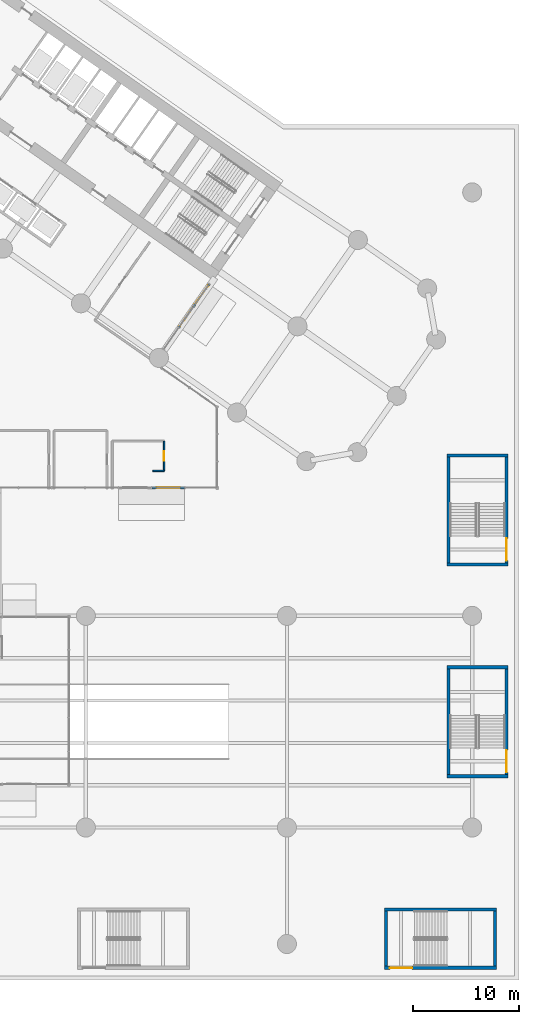
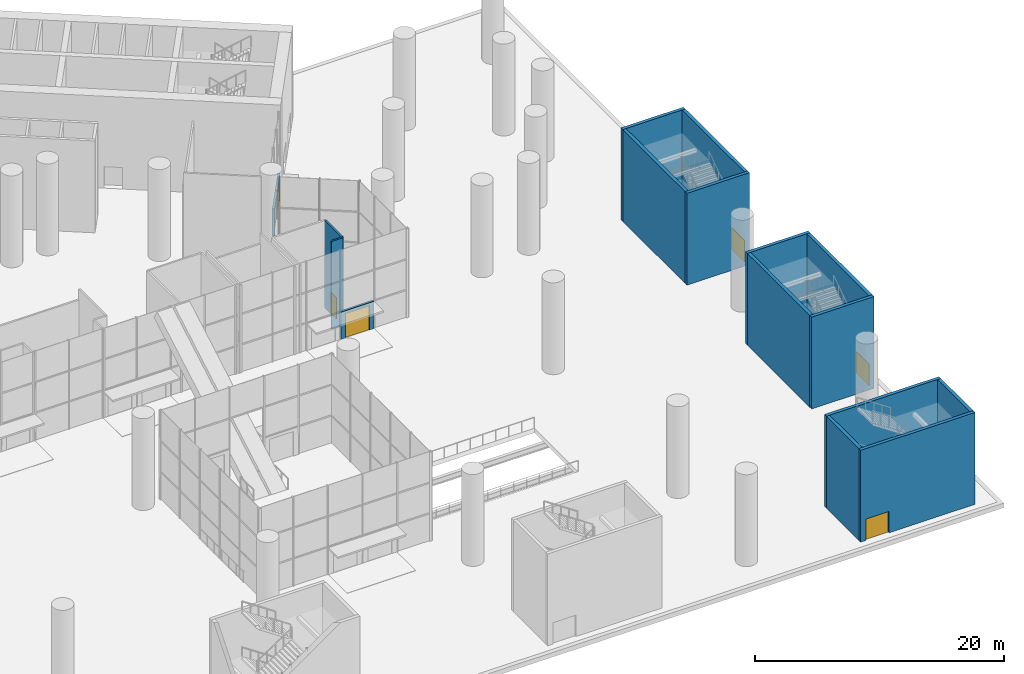
# One storey, part 18 of 37: 17 walls, 7 doors, 7 openings.
"""IFC4 building model written with IfcOpenShell, lengths in metres."""

from ifc_helpers import new_model, si_unit, direction, frame, frame_2d, origin, place, context, subcontext, project, spatial, rectangle, extrude, material, layer, layer_set, type_object, element, fill, save


model = new_model("IFC4")

# Units and contexts
model_context = context("Model", 3, precision=1e-05, world=origin(), true_north=direction((0.0, 1.0)))
body_context = subcontext(model_context, "Body", "Model", "MODEL_VIEW")
ifc_project = project(units=[si_unit("LENGTHUNIT", "METRE"), si_unit("AREAUNIT", "SQUARE_METRE"), si_unit("VOLUMEUNIT", "CUBIC_METRE"), si_unit("PLANEANGLEUNIT", "RADIAN"), si_unit("MASSUNIT", "GRAM", prefix="KILO")], contexts=[model_context])

# Site, building, storey
site_placement = place(None, origin())
site = spatial("IfcSite", under=ifc_project, at=site_placement, CompositionType="ELEMENT")
building_placement = place(site_placement, origin())
building = spatial("IfcBuilding", under=site, at=building_placement, Name="Tel Ilan Convention Tower", CompositionType="ELEMENT")
storey_placement = place(building_placement, origin())
storey = spatial("IfcBuildingStorey", under=building, at=storey_placement, Name="L00", CompositionType="ELEMENT", Elevation=0.0)

# Wall, opening, door
ifc_material_1 = material(Name="Aluminium composite cladding, bronze anodised on steel studs", Category="steel")
ifc_layer_1 = layer(ifc_material_1, 0.199951171875)
ifc_layer_set_1 = layer_set([ifc_layer_1], Name="ENTRANCE BAY WALL 200")
wall_type_1 = type_object("IfcWallType", Name="ENTRANCE BAY WALL 200", PredefinedType="SOLIDWALL", material=ifc_layer_set_1)
wall_1_placement = place(storey_placement, frame((18.8271484375, -35.89990234375, 0.0), z_axis=(0.0, 0.0, 1.0), x_axis=(-1.0, 0.0, 0.0)))
wall_1 = element("IfcWall", 1, at=wall_1_placement, inside=storey, type_object=wall_type_1, Name="Entrance bay wall", PredefinedType="SOLIDWALL", context=body_context, shape_type="SweptSolid", body=[
    extrude(rectangle(XDim=3.082763671875, YDim=0.199951171875, at=frame_2d((1.54150390625, 0.0))), origin(), (0.0, 0.0, 1.0), 2.699951171875),
])
opening_1_placement = place(wall_1_placement, frame((0.44140625, 0.0, 0.0)))
opening_1 = element("IfcOpeningElement", 2, at=opening_1_placement, cuts=wall_1, Name="Opening EN13", PredefinedType="OPENING", context=body_context, shape_type="SweptSolid", body=[
    extrude(rectangle(XDim=2.199951171875, YDim=2.39990234375, at=frame_2d((1.10009765625, 1.199951171875))), frame((0.0, 0.10986328125, 0.0), z_axis=(0.0, -1.0, 0.0), x_axis=(1.0, 0.0, 0.0)), (0.0, 0.0, 1.0), 0.219970703125),
])
ifc_material_2 = material(Name="Aluminium framed glazed door, bronze anodised", Category="aluminium")
door_type_1 = type_object("IfcDoorType", Name="ENTRANCE DOUBLE DOOR 2200x2400", OperationType="NOTDEFINED", PredefinedType="DOOR", material=ifc_material_2)
door_1_placement = place(opening_1_placement, origin())
door_1 = element("IfcDoor", 3, at=door_1_placement, inside=storey, type_object=door_type_1, Name="Entrance door", OperationType="DOUBLE_DOOR_DOUBLE_SWING", OverallHeight=2.39990234375, OverallWidth=2.199951171875, PredefinedType="DOOR", context=body_context, shape_type="SweptSolid", body=[
    extrude(rectangle(XDim=2.199951171875, YDim=2.39990234375, at=frame_2d((1.10009765625, 1.199951171875))), frame((0.0, 0.02490234375, 0.0), z_axis=(0.0, -1.0, 0.0), x_axis=(1.0, 0.0, 0.0)), (0.0, 0.0, 1.0), 0.050048828125),
])
fill(opening_1, door_1)

wall_2_placement = place(storey_placement, frame((21.15771484375, -16.6826171875, 0.0), z_axis=(0.0, 0.0, 1.0), x_axis=(-0.573616137927, -0.819124243512, 0.0)))
wall_2 = element("IfcWall", 4, at=wall_2_placement, inside=storey, type_object=wall_type_1, Name="Entrance bay wall", PredefinedType="SOLIDWALL", context=body_context, shape_type="SweptSolid", body=[
    extrude(rectangle(XDim=2.4501953125, YDim=0.199951171875, at=frame_2d((1.22509765625, 0.0))), origin(), (0.0, 0.0, 1.0), 2.699951171875),
])
opening_2_placement = place(wall_2_placement, frame((0.125244140625, 0.0, 0.0)))
opening_2 = element("IfcOpeningElement", 5, at=opening_2_placement, cuts=wall_2, Name="Opening EN21", PredefinedType="OPENING", context=body_context, shape_type="SweptSolid", body=[
    extrude(rectangle(XDim=2.199951171875, YDim=2.39990234375, at=frame_2d((1.10009765625, 1.199951171875))), frame((0.0, 0.10986328125, 0.0), z_axis=(0.0, -1.0, 0.0), x_axis=(1.0, 0.0, 0.0)), (0.0, 0.0, 1.0), 0.219970703125),
])
door_2_placement = place(opening_2_placement, origin())
door_2 = element("IfcDoor", 6, at=door_2_placement, inside=storey, type_object=door_type_1, Name="Entrance door", OperationType="DOUBLE_DOOR_DOUBLE_SWING", OverallHeight=2.39990234375, OverallWidth=2.199951171875, PredefinedType="DOOR", context=body_context, shape_type="SweptSolid", body=[
    extrude(rectangle(XDim=2.199951171875, YDim=2.39990234375, at=frame_2d((1.10009765625, 1.199951171875))), frame((0.0, 0.02490234375, 0.0), z_axis=(0.0, -1.0, 0.0), x_axis=(1.0, 0.0, 0.0)), (0.0, 0.0, 1.0), 0.050048828125),
])
fill(opening_2, door_2)

wall_3_placement = place(storey_placement, frame((19.7177734375, -18.73876953125, 0.0), z_axis=(0.0, 0.0, 1.0), x_axis=(-0.573549278612, -0.819171059672, 0.0)))
wall_3 = element("IfcWall", 7, at=wall_3_placement, inside=storey, type_object=wall_type_1, Name="Entrance bay wall", PredefinedType="SOLIDWALL", context=body_context, shape_type="SweptSolid", body=[
    extrude(rectangle(XDim=2.4501953125, YDim=0.199951171875, at=frame_2d((1.22509765625, 0.0))), origin(), (0.0, 0.0, 1.0), 2.699951171875),
])
opening_3_placement = place(wall_3_placement, frame((0.125244140625, 0.0, 0.0)))
opening_3 = element("IfcOpeningElement", 8, at=opening_3_placement, cuts=wall_3, Name="Opening EN22", PredefinedType="OPENING", context=body_context, shape_type="SweptSolid", body=[
    extrude(rectangle(XDim=2.199951171875, YDim=2.39990234375, at=frame_2d((1.10009765625, 1.199951171875))), frame((0.0, 0.10986328125, 0.0), z_axis=(0.0, -1.0, 0.0), x_axis=(1.0, 0.0, 0.0)), (0.0, 0.0, 1.0), 0.219970703125),
])
door_3_placement = place(opening_3_placement, origin())
door_3 = element("IfcDoor", 9, at=door_3_placement, inside=storey, type_object=door_type_1, Name="Entrance door", OperationType="DOUBLE_DOOR_DOUBLE_SWING", OverallHeight=2.39990234375, OverallWidth=2.199951171875, PredefinedType="DOOR", context=body_context, shape_type="SweptSolid", body=[
    extrude(rectangle(XDim=2.199951171875, YDim=2.39990234375, at=frame_2d((1.10009765625, 1.199951171875))), frame((0.0, 0.02490234375, 0.0), z_axis=(0.0, -1.0, 0.0), x_axis=(1.0, 0.0, 0.0)), (0.0, 0.0, 1.0), 0.050048828125),
])
fill(opening_3, door_3)

# Wall
ifc_material_3 = material(Name="Plasterboard on Steel Studs", Category="steel")
ifc_layer_2 = layer(ifc_material_3, 0.14990234375)
ifc_layer_set_2 = layer_set([ifc_layer_2], Name="Fire-rated Partition 150 EI 60")
wall_type_2 = type_object("IfcWallType", Name="Fire-rated Partition 150 EI 60", PredefinedType="PARTITIONING", material=ifc_layer_set_2)
wall_4_placement = place(storey_placement, frame((15.836669921875, -34.301025390625, 0.0), z_axis=(0.0, 0.0, 1.0), x_axis=(1.0, 0.0, 0.0)))
element("IfcWall", 10, at=wall_4_placement, inside=storey, type_object=wall_type_2, Name="Partition 018", PredefinedType="PARTITIONING", context=body_context, shape_type="SweptSolid", body=[
    extrude(rectangle(XDim=1.063232421875, YDim=0.14990234375, at=frame_2d((0.53173828125, 0.0))), origin(), (0.0, 0.0, 1.0), 8.60009765625),
])

# Wall, opening, door
wall_5_placement = place(storey_placement, frame((16.90087890625, -34.300048828125, 0.0), z_axis=(0.0, 0.0, 1.0), x_axis=(0.0, 1.0, 0.0)))
wall_5 = element("IfcWall", 11, at=wall_5_placement, inside=storey, type_object=wall_type_2, Name="Partition 019", PredefinedType="PARTITIONING", context=body_context, shape_type="SweptSolid", body=[
    extrude(rectangle(XDim=2.800048828125, YDim=0.14990234375, at=frame_2d((1.39990234375, 0.0))), origin(), (0.0, 0.0, 1.0), 8.60009765625),
])
opening_4_placement = place(wall_5_placement, frame((0.949951171875, 0.0, 0.0)))
opening_4 = element("IfcOpeningElement", 12, at=opening_4_placement, cuts=wall_5, Name="Opening L00-005", PredefinedType="OPENING", context=body_context, shape_type="SweptSolid", body=[
    extrude(rectangle(XDim=0.89990234375, YDim=2.10009765625, at=frame_2d((0.449951171875, 1.050048828125))), frame((0.0, 0.0849609375, 0.0), z_axis=(0.0, -1.0, 0.0), x_axis=(1.0, 0.0, 0.0)), (0.0, 0.0, 1.0), 0.169921875),
])
ifc_material_4 = material(Name="Timber Door Leaf in Steel Frame", Category="steel")
door_type_2 = type_object("IfcDoorType", Name="Room Fire Door 900x2100", OperationType="NOTDEFINED", PredefinedType="DOOR", material=ifc_material_4)
door_4_placement = place(opening_4_placement, origin())
door_4 = element("IfcDoor", 13, at=door_4_placement, inside=storey, type_object=door_type_2, Name="Door L00-005", OperationType="SINGLE_SWING_LEFT", OverallHeight=2.10009765625, OverallWidth=0.89990234375, PredefinedType="DOOR", context=body_context, shape_type="SweptSolid", body=[
    extrude(rectangle(XDim=0.89990234375, YDim=2.10009765625, at=frame_2d((0.449951171875, 1.050048828125))), frame((0.0, 0.02490234375, 0.0), z_axis=(0.0, -1.0, 0.0), x_axis=(1.0, 0.0, 0.0)), (0.0, 0.0, 1.0), 0.050048828125),
])
fill(opening_4, door_4)

ifc_material_5 = material(Name="Concrete C40/50", Category="concrete")
ifc_layer_3 = layer(ifc_material_5, 0.300048828125)
ifc_layer_set_3 = layer_set([ifc_layer_3], Name="Stair Enclosure Wall 300 mm C40/50")
wall_type_3 = type_object("IfcWallType", Name="Stair Enclosure Wall 300 mm C40/50", PredefinedType="SOLIDWALL", material=ifc_layer_set_3)
wall_6_placement = place(storey_placement, frame((37.699951171875, -81.25, 0.0), z_axis=(0.0, 0.0, 1.0), x_axis=(1.0, 0.0, 0.0)))
wall_6 = element("IfcWall", 14, at=wall_6_placement, inside=storey, type_object=wall_type_3, Name="P4 stair enclosure wall S L00", PredefinedType="SOLIDWALL", context=body_context, shape_type="SweptSolid", body=[
    extrude(rectangle(XDim=10.60009765625, YDim=0.300048828125, at=frame_2d((5.300048828125, 0.0))), origin(), (0.0, 0.0, 1.0), 9.0),
])
opening_5_placement = place(wall_6_placement, frame((0.512451171875, 0.0, 0.0)))
opening_5 = element("IfcOpeningElement", 15, at=opening_5_placement, cuts=wall_6, Name="Opening E8", PredefinedType="OPENING", context=body_context, shape_type="SweptSolid", body=[
    extrude(rectangle(XDim=2.10009765625, YDim=2.10009765625, at=frame_2d((1.050048828125, 1.050048828125))), frame((0.0, 0.159912109375, 0.0), z_axis=(0.0, -1.0, 0.0), x_axis=(1.0, 0.0, 0.0)), (0.0, 0.0, 1.0), 0.320068359375),
])
ifc_material_6 = material(Name="Galvanised Steel Door Leaf", Category="steel")
door_type_3 = type_object("IfcDoorType", Name="Stair Fire Door 2100 x 2100 FD60S", OperationType="NOTDEFINED", PredefinedType="DOOR", material=ifc_material_6)
door_5_placement = place(opening_5_placement, origin())
door_5 = element("IfcDoor", 16, at=door_5_placement, inside=storey, type_object=door_type_3, Name="Stair P4 exit discharge door", OperationType="DOUBLE_DOOR_SINGLE_SWING", OverallHeight=2.10009765625, OverallWidth=2.10009765625, PredefinedType="DOOR", context=body_context, shape_type="SweptSolid", body=[
    extrude(rectangle(XDim=2.10009765625, YDim=2.10009765625, at=frame_2d((1.050048828125, 1.050048828125))), frame((0.0, 0.02490234375, 0.0), z_axis=(0.0, -1.0, 0.0), x_axis=(1.0, 0.0, 0.0)), (0.0, 0.0, 1.0), 0.050048828125),
])
fill(opening_5, door_5)

# Walls
wall_7_placement = place(storey_placement, frame((37.699951171875, -75.75, 0.0), z_axis=(0.0, 0.0, 1.0), x_axis=(1.0, 0.0, 0.0)))
element("IfcWall", 17, at=wall_7_placement, inside=storey, type_object=wall_type_3, Name="P4 stair enclosure wall N L00", PredefinedType="SOLIDWALL", context=body_context, shape_type="SweptSolid", body=[
    extrude(rectangle(XDim=10.60009765625, YDim=0.300048828125, at=frame_2d((5.300048828125, 0.0))), origin(), (0.0, 0.0, 1.0), 9.0),
])
for number, where, z_axis, x_axis, name in (
    (18, (37.85009765625, -81.10009765625, 0.0), (0.0, 0.0, 1.0), (0.0, 1.0, 0.0), "P4 stair enclosure wall W L00"),
    (19, (48.14990234375, -81.10009765625, 0.0), (0.0, 0.0, 1.0), (0.0, 1.0, 0.0), "P4 stair enclosure wall E L00"),
):
    element("IfcWall", number, at=place(storey_placement, frame(where, z_axis=z_axis, x_axis=x_axis)), inside=storey, type_object=wall_type_3, Name=name, PredefinedType="SOLIDWALL", context=body_context, shape_type="SweptSolid", body=[
        extrude(rectangle(XDim=5.2001953125, YDim=0.300048828125, at=frame_2d((2.60009765625, 0.0))), origin(), (0.0, 0.0, 1.0), 9.0),
    ])
for number, where, z_axis, x_axis, name in (
    (20, (43.60009765625, -63.14990234375, 0.0), (0.0, 0.0, 1.0), (1.0, 0.0, 0.0), "P6 stair enclosure wall S L00"),
    (21, (43.60009765625, -52.85009765625, 0.0), (0.0, 0.0, 1.0), (1.0, 0.0, 0.0), "P6 stair enclosure wall N L00"),
):
    element("IfcWall", number, at=place(storey_placement, frame(where, z_axis=z_axis, x_axis=x_axis)), inside=storey, type_object=wall_type_3, Name=name, PredefinedType="SOLIDWALL", context=body_context, shape_type="SweptSolid", body=[
        extrude(rectangle(XDim=5.7998046875, YDim=0.300048828125, at=frame_2d((2.89990234375, 0.0))), origin(), (0.0, 0.0, 1.0), 9.0),
    ])
wall_8_placement = place(storey_placement, frame((43.75, -63.0, 0.0), z_axis=(0.0, 0.0, 1.0), x_axis=(0.0, 1.0, 0.0)))
element("IfcWall", 22, at=wall_8_placement, inside=storey, type_object=wall_type_3, Name="P6 stair enclosure wall W L00", PredefinedType="SOLIDWALL", context=body_context, shape_type="SweptSolid", body=[
    extrude(rectangle(XDim=10.0, YDim=0.300048828125, at=frame_2d((5.0, 0.0))), origin(), (0.0, 0.0, 1.0), 9.0),
])

# Wall, opening, door
wall_9_placement = place(storey_placement, frame((49.25, -63.0, 0.0), z_axis=(0.0, 0.0, 1.0), x_axis=(0.0, 1.0, 0.0)))
wall_9 = element("IfcWall", 23, at=wall_9_placement, inside=storey, type_object=wall_type_3, Name="P6 stair enclosure wall E L00", PredefinedType="SOLIDWALL", context=body_context, shape_type="SweptSolid", body=[
    extrude(rectangle(XDim=10.0, YDim=0.300048828125, at=frame_2d((5.0, 0.0))), origin(), (0.0, 0.0, 1.0), 9.0),
])
opening_6_placement = place(wall_9_placement, frame((0.21240234375, 0.0, 0.0)))
opening_6 = element("IfcOpeningElement", 24, at=opening_6_placement, cuts=wall_9, Name="Opening E10", PredefinedType="OPENING", context=body_context, shape_type="SweptSolid", body=[
    extrude(rectangle(XDim=2.10009765625, YDim=2.10009765625, at=frame_2d((1.050048828125, 1.050048828125))), frame((0.0, 0.159912109375, 0.0), z_axis=(0.0, -1.0, 0.0), x_axis=(1.0, 0.0, 0.0)), (0.0, 0.0, 1.0), 0.320068359375),
])
door_6_placement = place(opening_6_placement, origin())
door_6 = element("IfcDoor", 25, at=door_6_placement, inside=storey, type_object=door_type_3, Name="Stair P6 exit discharge door", OperationType="DOUBLE_DOOR_SINGLE_SWING", OverallHeight=2.10009765625, OverallWidth=2.10009765625, PredefinedType="DOOR", context=body_context, shape_type="SweptSolid", body=[
    extrude(rectangle(XDim=2.10009765625, YDim=2.10009765625, at=frame_2d((1.050048828125, 1.050048828125))), frame((0.0, 0.02490234375, 0.0), z_axis=(0.0, -1.0, 0.0), x_axis=(1.0, 0.0, 0.0)), (0.0, 0.0, 1.0), 0.050048828125),
])
fill(opening_6, door_6)

# Walls
for number, where, z_axis, x_axis, name in (
    (26, (43.60009765625, -43.14990234375, 0.0), (0.0, 0.0, 1.0), (1.0, 0.0, 0.0), "P8 stair enclosure wall S L00"),
    (27, (43.60009765625, -32.85009765625, 0.0), (0.0, 0.0, 1.0), (1.0, 0.0, 0.0), "P8 stair enclosure wall N L00"),
):
    element("IfcWall", number, at=place(storey_placement, frame(where, z_axis=z_axis, x_axis=x_axis)), inside=storey, type_object=wall_type_3, Name=name, PredefinedType="SOLIDWALL", context=body_context, shape_type="SweptSolid", body=[
        extrude(rectangle(XDim=5.7998046875, YDim=0.300048828125, at=frame_2d((2.89990234375, 0.0))), origin(), (0.0, 0.0, 1.0), 9.0),
    ])
wall_10_placement = place(storey_placement, frame((43.75, -43.0, 0.0), z_axis=(0.0, 0.0, 1.0), x_axis=(0.0, 1.0, 0.0)))
element("IfcWall", 28, at=wall_10_placement, inside=storey, type_object=wall_type_3, Name="P8 stair enclosure wall W L00", PredefinedType="SOLIDWALL", context=body_context, shape_type="SweptSolid", body=[
    extrude(rectangle(XDim=10.0, YDim=0.300048828125, at=frame_2d((5.0, 0.0))), origin(), (0.0, 0.0, 1.0), 9.0),
])

# Wall, opening, door
wall_11_placement = place(storey_placement, frame((49.25, -43.0, 0.0), z_axis=(0.0, 0.0, 1.0), x_axis=(0.0, 1.0, 0.0)))
wall_11 = element("IfcWall", 29, at=wall_11_placement, inside=storey, type_object=wall_type_3, Name="P8 stair enclosure wall E L00", PredefinedType="SOLIDWALL", context=body_context, shape_type="SweptSolid", body=[
    extrude(rectangle(XDim=10.0, YDim=0.300048828125, at=frame_2d((5.0, 0.0))), origin(), (0.0, 0.0, 1.0), 9.0),
])
opening_7_placement = place(wall_11_placement, frame((0.21240234375, 0.0, 0.0)))
opening_7 = element("IfcOpeningElement", 30, at=opening_7_placement, cuts=wall_11, Name="Opening E12", PredefinedType="OPENING", context=body_context, shape_type="SweptSolid", body=[
    extrude(rectangle(XDim=2.10009765625, YDim=2.10009765625, at=frame_2d((1.050048828125, 1.050048828125))), frame((0.0, 0.159912109375, 0.0), z_axis=(0.0, -1.0, 0.0), x_axis=(1.0, 0.0, 0.0)), (0.0, 0.0, 1.0), 0.320068359375),
])
door_7_placement = place(opening_7_placement, origin())
door_7 = element("IfcDoor", 31, at=door_7_placement, inside=storey, type_object=door_type_3, Name="Stair P8 exit discharge door", OperationType="DOUBLE_DOOR_SINGLE_SWING", OverallHeight=2.10009765625, OverallWidth=2.10009765625, PredefinedType="DOOR", context=body_context, shape_type="SweptSolid", body=[
    extrude(rectangle(XDim=2.10009765625, YDim=2.10009765625, at=frame_2d((1.050048828125, 1.050048828125))), frame((0.0, 0.02490234375, 0.0), z_axis=(0.0, -1.0, 0.0), x_axis=(1.0, 0.0, 0.0)), (0.0, 0.0, 1.0), 0.050048828125),
])
fill(opening_7, door_7)

save(model, "model.ifc")
